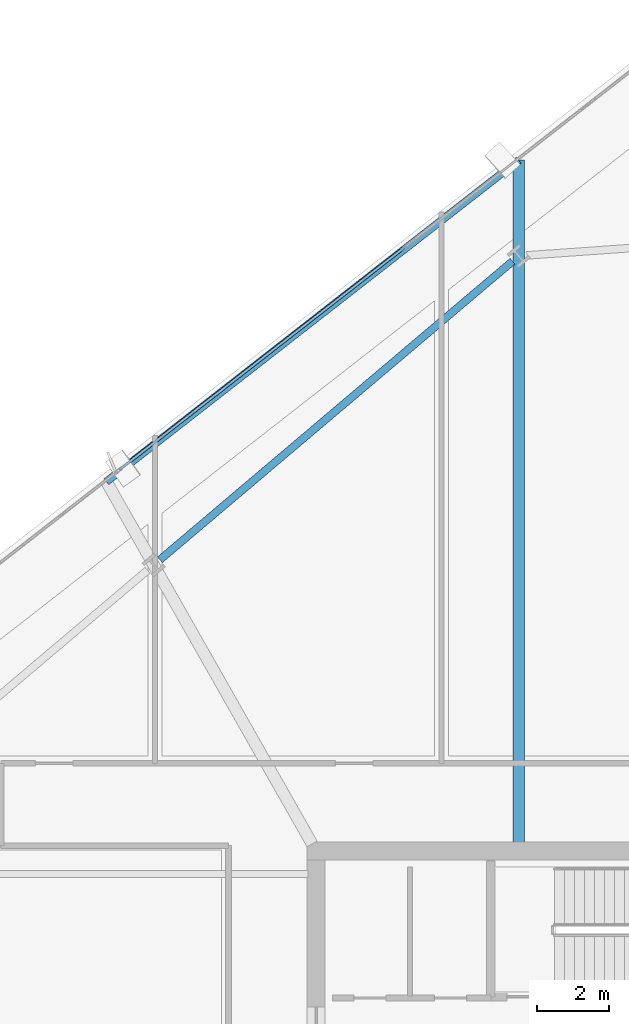
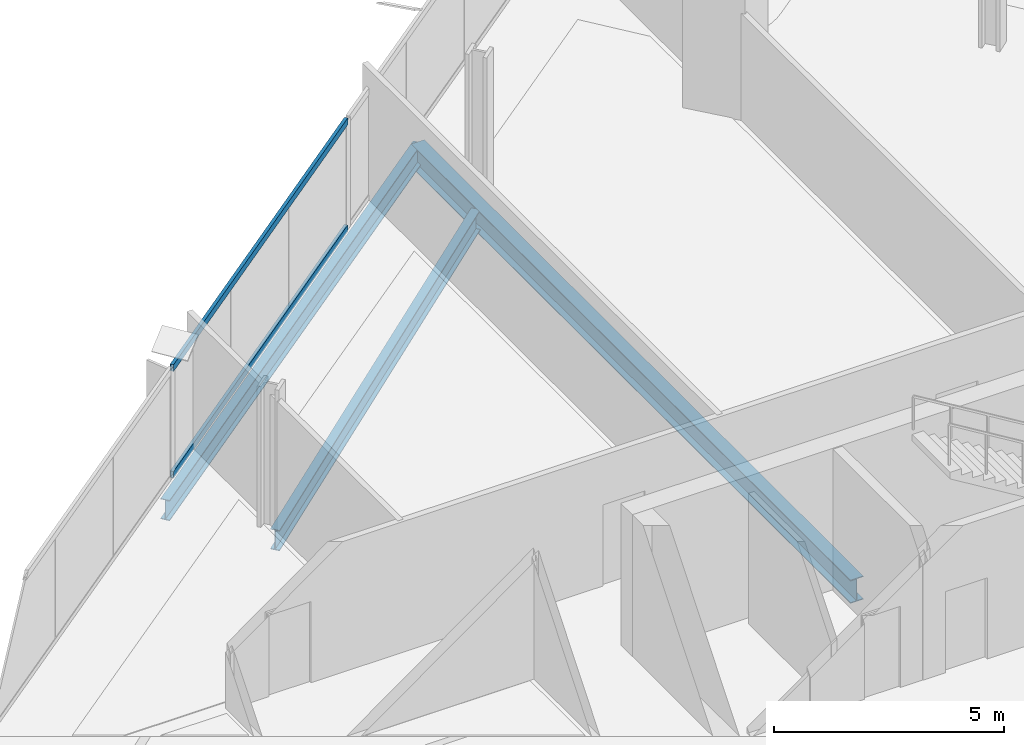
# One storey, part 15 of 32: 3 beams, 2 members, 1 element without a shape of its own.
"""IFC4 building model written with IfcOpenShell, lengths in metres."""

from ifc_helpers import new_model, si_unit, direction, frame, origin, origin_2d, place, context, subcontext, project, spatial, hollow_rectangle, i_section, extrude, material, material_profile, profile_set, type_object, element, aggregate, save


model = new_model("IFC4")

# Units and contexts
model_context = context("Model", 3, precision=1e-05, world=origin(), true_north=direction((0.0, 1.0)))
body_context = subcontext(model_context, "Body", "Model", "MODEL_VIEW")
ifc_project = project(units=[si_unit("LENGTHUNIT", "METRE"), si_unit("AREAUNIT", "SQUARE_METRE"), si_unit("VOLUMEUNIT", "CUBIC_METRE"), si_unit("PLANEANGLEUNIT", "RADIAN"), si_unit("MASSUNIT", "GRAM", prefix="KILO")], contexts=[model_context])

# Site, building, storey
site_placement = place(None, origin())
site = spatial("IfcSite", under=ifc_project, at=site_placement, CompositionType="ELEMENT")
building_placement = place(site_placement, origin())
building = spatial("IfcBuilding", under=site, at=building_placement, Name="Haldenkirk Collegiate Tower", CompositionType="ELEMENT")
storey_placement = place(building_placement, frame((0.0, 0.0, 155.699951171875)))
storey = spatial("IfcBuildingStorey", under=building, at=storey_placement, Name="L38", CompositionType="ELEMENT", Elevation=155.699951171875)

# Beams
ifc_material_1 = material(Name="Steel ASTM A992 Grade 50", Category="steel")
ifc_material_profile_1 = material_profile(ifc_material_1, i_section(OverallWidth=0.324951171875, OverallDepth=0.615966796875, WebThickness=0.013916015625, FlangeThickness=0.021484375, at=origin_2d()), Name="W24X117")
ifc_profile_set_1 = profile_set([ifc_material_profile_1], Name="Steel ASTM A992 Grade 50")
beam_type_1 = type_object("IfcBeamType", Name="BM-GIRDER-W24X117", PredefinedType="BEAM", material=ifc_profile_set_1)
beam_1_placement = place(storey_placement, frame((32.657470703125, 53.29638671875, -0.597900390625), z_axis=(0.0, -1.0, 0.0), x_axis=(1.0, 0.0, 0.0)))
element("IfcBeam", 1, at=beam_1_placement, inside=storey, type_object=beam_type_1, Name="L38 primary floor girder 11", PredefinedType="BEAM", context=body_context, shape_type="SweptSolid", body=[
    extrude(i_section(OverallWidth=0.324951171875, OverallDepth=0.615966796875, WebThickness=0.013916015625, FlangeThickness=0.021484375, at=origin_2d()), origin(), (0.0, 0.0, 1.0), 19.06640625),
])
ifc_material_profile_2 = material_profile(ifc_material_1, i_section(OverallWidth=0.2119140625, OverallDepth=0.5439453125, WebThickness=0.01318359375, FlangeThickness=0.021240234375, at=origin_2d()), Name="W21X83")
ifc_profile_set_2 = profile_set([ifc_material_profile_2], Name="Steel ASTM A992 Grade 50")
beam_type_2 = type_object("IfcBeamType", Name="BM-SPANDREL-W21X83", PredefinedType="SPANDREL", material=ifc_profile_set_2)
beam_2_placement = place(storey_placement, frame((32.482666015625, 50.471435546875, -0.56201171875), z_axis=(-0.763233335078, -0.646122957514, 0.0), x_axis=(0.646122957514, -0.763233335078, 0.0)))
element("IfcBeam", 2, at=beam_2_placement, inside=storey, type_object=beam_type_2, Name="L38 perimeter spandrel beam 10", PredefinedType="SPANDREL", context=body_context, shape_type="SweptSolid", body=[
    extrude(i_section(OverallWidth=0.2119140625, OverallDepth=0.5439453125, WebThickness=0.01318359375, FlangeThickness=0.021240234375, at=origin_2d()), origin(), (0.0, 0.0, 1.0), 12.898193359375),
])
beam_3_placement = place(storey_placement, frame((32.657470703125, 53.29638671875, -0.56201171875), z_axis=(-0.788542195821, -0.614980654501, 0.0), x_axis=(0.614980654501, -0.788542195821, 0.0)))
element("IfcBeam", 3, at=beam_3_placement, inside=storey, type_object=beam_type_2, Name="L38 outer facade edge beam 3", PredefinedType="SPANDREL", context=body_context, shape_type="SweptSolid", body=[
    extrude(i_section(OverallWidth=0.2119140625, OverallDepth=0.5439453125, WebThickness=0.01318359375, FlangeThickness=0.021240234375, at=origin_2d()), origin(), (0.0, 0.0, 1.0), 14.6025390625),
])

# Curtain wall, members
ifc_material_2 = material(Name="Anodised architectural bronze aluminium", Category="aluminium")
curtain_wall_type = type_object("IfcCurtainWallType", Name="CW-SYS1-CONVEX-LOW", PredefinedType="USERDEFINED", material=ifc_material_2)
curtain_wall_placement = place(storey_placement, origin())
curtain_wall = element("IfcCurtainWall", 4, at=curtain_wall_placement, inside=storey, type_object=curtain_wall_type, Name="L38 Lower tower convex bronze-framed unitised curtain wall", ObjectType="UNITISED CURTAIN WALL", PredefinedType="USERDEFINED")
ifc_material_profile_3 = material_profile(ifc_material_2, hollow_rectangle(XDim=0.080078125, YDim=0.179931640625, WallThickness=0.0048828125, at=origin_2d()), Name="CW-TRN-1A")
ifc_profile_set_3 = profile_set([ifc_material_profile_3], Name="Anodised architectural bronze aluminium")
member_type = type_object("IfcMemberType", Name="CW-TRN-1A", PredefinedType="USERDEFINED", material=ifc_profile_set_3)
member_1_placement = place(storey_placement, frame((21.505859375, 44.650146484375, 0.0400390625), z_axis=(0.788543454923, 0.614979040048, 0.0), x_axis=(-0.614979040048, 0.788543454923, 0.0)))
member_1 = element("IfcMember", 5, at=member_1_placement, type_object=member_type, Name="CW-1A transom 3.1", ObjectType="TRANSOM", PredefinedType="USERDEFINED", context=body_context, shape_type="SweptSolid", body=[
    extrude(hollow_rectangle(XDim=0.080078125, YDim=0.179931640625, WallThickness=0.0048828125, at=origin_2d()), origin(), (0.0, 0.0, 1.0), 10.070068359375),
])
member_2_placement = place(storey_placement, frame((21.505859375, 44.650146484375, 2.87109375), z_axis=(0.788543454923, 0.614979040048, 0.0), x_axis=(-0.614979040048, 0.788543454923, 0.0)))
member_2 = element("IfcMember", 6, at=member_2_placement, type_object=member_type, Name="CW-1A transom 3.2", ObjectType="TRANSOM", PredefinedType="USERDEFINED", context=body_context, shape_type="SweptSolid", body=[
    extrude(hollow_rectangle(XDim=0.080078125, YDim=0.179931640625, WallThickness=0.0048828125, at=origin_2d()), origin(), (0.0, 0.0, 1.0), 10.070068359375),
])
aggregate(curtain_wall, [member_1, member_2])

save(model, "model.ifc")
